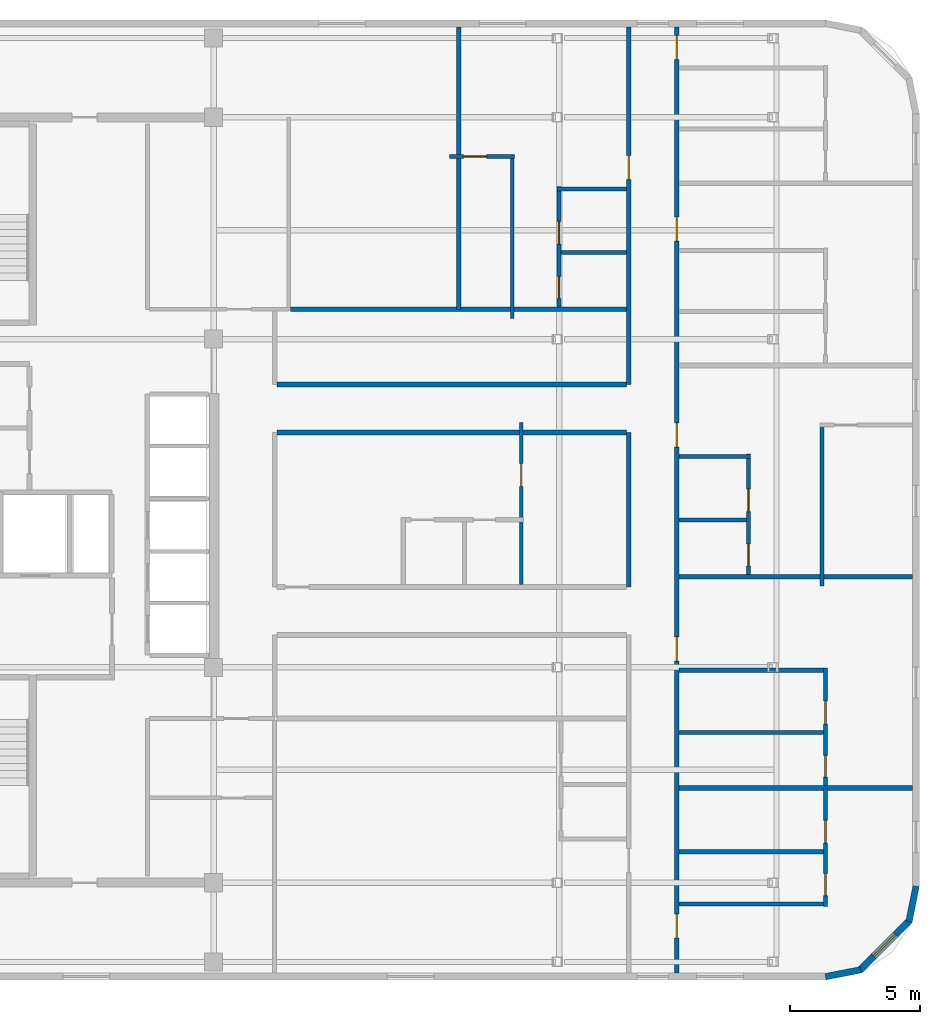
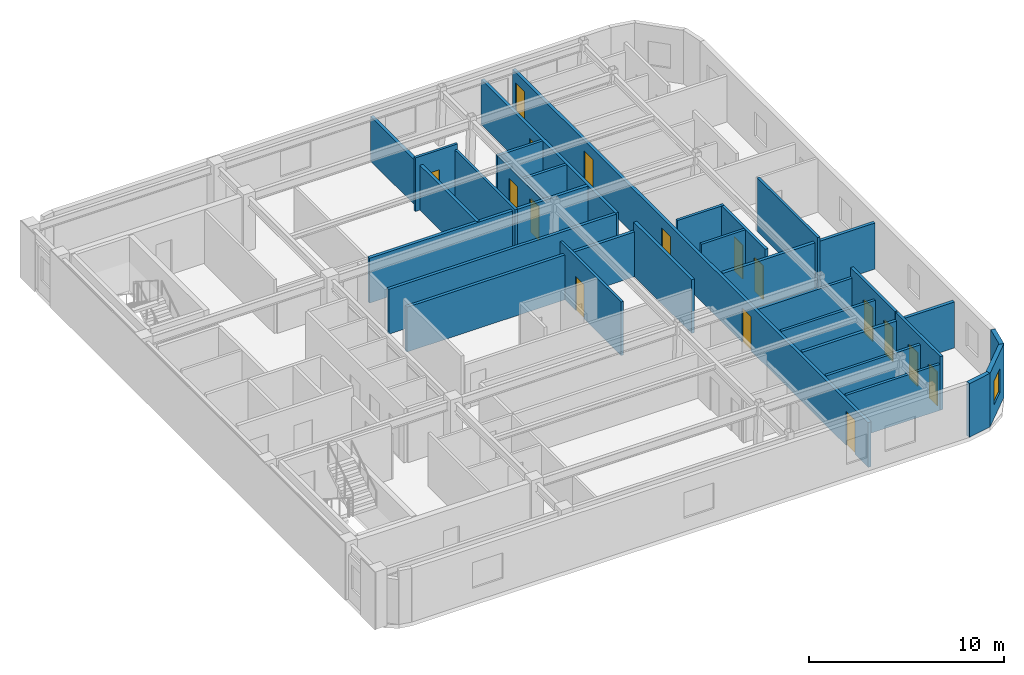
# One storey, part 4 of 7: 28 walls, 16 doors, 1 window, 17 openings.
"""IFC4 building model written with IfcOpenShell, lengths in metres."""

from ifc_helpers import new_model, si_unit, direction, frame, frame_2d, origin, place, context, subcontext, project, spatial, rectangle, extrude, material, layer, layer_set, type_object, element, fill, save


model = new_model("IFC4")

# Units and contexts
model_context = context("Model", 3, precision=1e-05, world=origin(), true_north=direction((0.0, 1.0)))
body_context = subcontext(model_context, "Body", "Model", "MODEL_VIEW")
ifc_project = project(units=[si_unit("LENGTHUNIT", "METRE"), si_unit("AREAUNIT", "SQUARE_METRE"), si_unit("VOLUMEUNIT", "CUBIC_METRE"), si_unit("PLANEANGLEUNIT", "RADIAN"), si_unit("MASSUNIT", "GRAM", prefix="KILO")], contexts=[model_context])

# Site, building, storey
site_placement = place(None, origin())
site = spatial("IfcSite", under=ifc_project, at=site_placement, CompositionType="ELEMENT")
building_placement = place(site_placement, origin())
building = spatial("IfcBuilding", under=site, at=building_placement, Name="Ochreholt Gables", CompositionType="ELEMENT")
storey_placement = place(building_placement, frame((0.0, 0.0, 242.39990234375)))
storey = spatial("IfcBuildingStorey", under=building, at=storey_placement, Name="L63", CompositionType="ELEMENT", Elevation=242.39990234375)

# Wall
ifc_material_1 = material(Name="Precast concrete 40 MPa", Category="concrete")
ifc_layer_1 = layer(ifc_material_1, 0.25, Name="Precast concrete 40 MPa")
ifc_layer_set_1 = layer_set([ifc_layer_1], Name="Precast concrete 40 MPa")
wall_type_1 = type_object("IfcWallType", Name="WALL-EXT-CNR", PredefinedType="SOLIDWALL", material=ifc_layer_set_1)
wall_1_placement = place(storey_placement, frame((58.783447265625, 5.624267578125, 0.0), z_axis=(0.0, 0.0, 1.0), x_axis=(0.980809899341, 0.19496651342, 0.0)))
element("IfcWall", 1, at=wall_1_placement, inside=storey, type_object=wall_type_1, Name="L63 Rounded Corner Wall SE-1", PredefinedType="SOLIDWALL", context=body_context, shape_type="SweptSolid", body=[
    extrude(rectangle(XDim=1.388671875, YDim=0.25, at=frame_2d((0.6943359375, 0.0))), origin(), (0.0, 0.0, 1.0), 3.360107421875),
])

# Wall, opening, window
wall_2_placement = place(storey_placement, frame((60.094970703125, 5.867919921875, 0.0), z_axis=(0.0, 0.0, 1.0), x_axis=(0.707106781187, 0.707106781187, 0.0)))
wall_2 = element("IfcWall", 2, at=wall_2_placement, inside=storey, type_object=wall_type_1, Name="L63 Rounded Corner Wall SE-2", PredefinedType="SOLIDWALL", context=body_context, shape_type="SweptSolid", body=[
    extrude(rectangle(XDim=2.7392578125, YDim=0.25, at=frame_2d((1.36962890625, 0.0))), origin(), (0.0, 0.0, 1.0), 3.360107421875),
])
opening_1_placement = place(wall_2_placement, frame((0.769775390625, 0.0, 0.85009765625)))
opening_1 = element("IfcOpeningElement", 3, at=opening_1_placement, cuts=wall_2, Name="Opening WN-3", PredefinedType="OPENING", context=body_context, shape_type="SweptSolid", body=[
    extrude(rectangle(XDim=1.199951171875, YDim=1.5, at=frame_2d((0.60009765625, 0.75))), frame((0.0, 0.135009765625, 0.0), z_axis=(0.0, -1.0, 0.0), x_axis=(1.0, 0.0, 0.0)), (0.0, 0.0, 1.0), 0.27001953125),
])
ifc_material_2 = material(Name="Triple-Glazed Thermally Broken Aluminium Window", Category="aluminium")
window_type = type_object("IfcWindowType", Name="WIN-RES-1200", PartitioningType="SINGLE_PANEL", PredefinedType="WINDOW", material=ifc_material_2)
window_placement = place(opening_1_placement, origin())
window = element("IfcWindow", 4, at=window_placement, inside=storey, type_object=window_type, Name="L63 Corner Bedroom Window SE", OverallHeight=1.5, OverallWidth=1.199951171875, PartitioningType="SINGLE_PANEL", PredefinedType="WINDOW", context=body_context, shape_type="SweptSolid", body=[
    extrude(rectangle(XDim=1.199951171875, YDim=1.5, at=frame_2d((0.60009765625, 0.75))), frame((0.0, 0.030029296875, 0.0), z_axis=(0.0, -1.0, 0.0), x_axis=(1.0, 0.0, 0.0)), (0.0, 0.0, 1.0), 0.06005859375),
])
fill(opening_1, window)

# Walls
wall_3_placement = place(storey_placement, frame((62.0048828125, 7.75439453125, 0.0), z_axis=(0.0, 0.0, 1.0), x_axis=(0.195135625965, 0.9807762678, 0.0)))
element("IfcWall", 5, at=wall_3_placement, inside=storey, type_object=wall_type_1, Name="L63 Rounded Corner Wall SE-3", PredefinedType="SOLIDWALL", context=body_context, shape_type="SweptSolid", body=[
    extrude(rectangle(XDim=1.388671875, YDim=0.25, at=frame_2d((0.6943359375, 0.0))), origin(), (0.0, 0.0, 1.0), 3.360107421875),
])
ifc_material_3 = material(Name="Fire-Rated Gypsum Acoustic Partition", Category="gypsum")
ifc_layer_2 = layer(ifc_material_3, 0.179931640625, Name="Fire-Rated Gypsum Acoustic Partition")
ifc_layer_set_2 = layer_set([ifc_layer_2], Name="Fire-Rated Gypsum Acoustic Partition")
wall_type_2 = type_object("IfcWallType", Name="WALL-INT-CR180", PredefinedType="STANDARD", material=ifc_layer_set_2)
wall_4_placement = place(storey_placement, frame((51.199951171875, 20.64990234375, 0.0), z_axis=(0.0, 0.0, 1.0), x_axis=(0.0, 1.0, 0.0)))
element("IfcWall", 6, at=wall_4_placement, inside=storey, type_object=wall_type_2, Name="L63 Interior Wall WI-C3GW2-L63", PredefinedType="STANDARD", context=body_context, shape_type="SweptSolid", body=[
    extrude(rectangle(XDim=5.9501953125, YDim=0.179931640625, at=frame_2d((2.97509765625, 0.0))), origin(), (0.0, 0.0, 1.0), 3.360107421875),
])

# Wall, opening, door
wall_5_placement = place(storey_placement, frame((51.199951171875, 28.449951171875, 0.0), z_axis=(0.0, 0.0, 1.0), x_axis=(0.0, 1.0, 0.0)))
wall_5 = element("IfcWall", 7, at=wall_5_placement, inside=storey, type_object=wall_type_2, Name="L63 Interior Wall WI-C3GW4-L63", PredefinedType="STANDARD", context=body_context, shape_type="SweptSolid", body=[
    extrude(rectangle(XDim=13.780029296875, YDim=0.179931640625, at=frame_2d((6.89013671875, 0.0))), origin(), (0.0, 0.0, 1.0), 2.802978515625),
])
opening_2_placement = place(wall_5_placement, frame((7.89990234375, 0.0, 0.0)))
opening_2 = element("IfcOpeningElement", 8, at=opening_2_placement, cuts=wall_5, Name="Opening D-UN1", PredefinedType="OPENING", context=body_context, shape_type="SweptSolid", body=[
    extrude(rectangle(XDim=0.919921875, YDim=2.14990234375, at=frame_2d((0.4599609375, 1.074951171875))), frame((0.0, 0.099853515625, 0.0), z_axis=(0.0, -1.0, 0.0), x_axis=(1.0, 0.0, 0.0)), (0.0, 0.0, 1.0), 0.199951171875),
])
ifc_material_4 = material(Name="Engineered Oak Timber", Category="wood")
door_type_1 = type_object("IfcDoorType", Name="DR-INT-UNT920", OperationType="NOTDEFINED", PredefinedType="DOOR", material=ifc_material_4)
door_1_placement = place(opening_2_placement, origin())
door_1 = element("IfcDoor", 9, at=door_1_placement, inside=storey, type_object=door_type_1, Name="L63 Door D-U-L63NM2-ENT", OperationType="SINGLE_SWING_RIGHT", OverallHeight=2.14990234375, OverallWidth=0.919921875, PredefinedType="DOOR", context=body_context, shape_type="SweptSolid", body=[
    extrude(rectangle(XDim=0.919921875, YDim=2.14990234375, at=frame_2d((0.4599609375, 1.074951171875))), frame((0.0, 0.02490234375, 0.0), z_axis=(0.0, -1.0, 0.0), x_axis=(1.0, 0.0, 0.0)), (0.0, 0.0, 1.0), 0.050048828125),
])
fill(opening_2, door_1)

# Walls
for number, where, z_axis, x_axis, name in (
    (10, (37.639892578125, 26.60009765625, 0.0), (0.0, 0.0, 1.0), (1.0, 0.0, 0.0), "L63 Interior Wall WI-C3BRS2-L63"),
    (11, (37.639892578125, 28.449951171875, 0.0), (0.0, 0.0, 1.0), (1.0, 0.0, 0.0), "L63 Interior Wall WI-C3BRN2-L63"),
):
    element("IfcWall", number, at=place(storey_placement, frame(where, z_axis=z_axis, x_axis=x_axis)), inside=storey, type_object=wall_type_2, Name=name, PredefinedType="STANDARD", context=body_context, shape_type="SweptSolid", body=[
        extrude(rectangle(XDim=13.47021484375, YDim=0.179931640625, at=frame_2d((6.735107421875, 0.0))), origin(), (0.0, 0.0, 1.0), 2.802978515625),
    ])

# Wall, openings, doors
wall_6_placement = place(storey_placement, frame((53.050048828125, 5.77001953125, 0.0), z_axis=(0.0, 0.0, 1.0), x_axis=(0.0, 1.0, 0.0)))
wall_6 = element("IfcWall", 12, at=wall_6_placement, inside=storey, type_object=wall_type_2, Name="L63 Interior Wall WI-C3GE-L63", PredefinedType="STANDARD", context=body_context, shape_type="SweptSolid", body=[
    extrude(rectangle(XDim=36.4599609375, YDim=0.179931640625, at=frame_2d((18.22998046875, 0.0))), origin(), (0.0, 0.0, 1.0), 2.802978515625),
])
opening_3_placement = place(wall_6_placement, frame((1.356689453125, 0.0, 0.0)))
opening_3 = element("IfcOpeningElement", 13, at=opening_3_placement, cuts=wall_6, Name="Opening D-UN1", PredefinedType="OPENING", context=body_context, shape_type="SweptSolid", body=[
    extrude(rectangle(XDim=0.919921875, YDim=2.14990234375, at=frame_2d((0.4599609375, 1.074951171875))), frame((0.0, 0.099853515625, 0.0), z_axis=(0.0, -1.0, 0.0), x_axis=(1.0, 0.0, 0.0)), (0.0, 0.0, 1.0), 0.199951171875),
])
opening_4_placement = place(wall_6_placement, frame((12.030029296875, 0.0, 0.0)))
opening_4 = element("IfcOpeningElement", 14, at=opening_4_placement, cuts=wall_6, Name="Opening D-UN1", PredefinedType="OPENING", context=body_context, shape_type="SweptSolid", body=[
    extrude(rectangle(XDim=0.919921875, YDim=2.14990234375, at=frame_2d((0.4599609375, 1.074951171875))), frame((0.0, 0.099853515625, 0.0), z_axis=(0.0, -1.0, 0.0), x_axis=(1.0, 0.0, 0.0)), (0.0, 0.0, 1.0), 0.199951171875),
])
opening_5_placement = place(wall_6_placement, frame((20.27001953125, 0.0, 0.0)))
opening_5 = element("IfcOpeningElement", 15, at=opening_5_placement, cuts=wall_6, Name="Opening D-UN1", PredefinedType="OPENING", context=body_context, shape_type="SweptSolid", body=[
    extrude(rectangle(XDim=0.919921875, YDim=2.14990234375, at=frame_2d((0.4599609375, 1.074951171875))), frame((0.0, 0.099853515625, 0.0), z_axis=(0.0, -1.0, 0.0), x_axis=(1.0, 0.0, 0.0)), (0.0, 0.0, 1.0), 0.199951171875),
])
opening_6_placement = place(wall_6_placement, frame((28.2099609375, 0.0, 0.0)))
opening_6 = element("IfcOpeningElement", 16, at=opening_6_placement, cuts=wall_6, Name="Opening D-UN1", PredefinedType="OPENING", context=body_context, shape_type="SweptSolid", body=[
    extrude(rectangle(XDim=0.919921875, YDim=2.14990234375, at=frame_2d((0.4599609375, 1.074951171875))), frame((0.0, 0.099853515625, 0.0), z_axis=(0.0, -1.0, 0.0), x_axis=(1.0, 0.0, 0.0)), (0.0, 0.0, 1.0), 0.199951171875),
])
opening_7_placement = place(wall_6_placement, frame((35.2099609375, 0.0, 0.0)))
opening_7 = element("IfcOpeningElement", 17, at=opening_7_placement, cuts=wall_6, Name="Opening D-UN1", PredefinedType="OPENING", context=body_context, shape_type="SweptSolid", body=[
    extrude(rectangle(XDim=0.919921875, YDim=2.14990234375, at=frame_2d((0.4599609375, 1.074951171875))), frame((0.0, 0.099853515625, 0.0), z_axis=(0.0, -1.0, 0.0), x_axis=(1.0, 0.0, 0.0)), (0.0, 0.0, 1.0), 0.199951171875),
])
door_2_placement = place(opening_3_placement, origin())
door_2 = element("IfcDoor", 18, at=door_2_placement, inside=storey, type_object=door_type_1, Name="L63 Door D-U-L63E1-ENT", OperationType="SINGLE_SWING_RIGHT", OverallHeight=2.14990234375, OverallWidth=0.919921875, PredefinedType="DOOR", context=body_context, shape_type="SweptSolid", body=[
    extrude(rectangle(XDim=0.919921875, YDim=2.14990234375, at=frame_2d((0.4599609375, 1.074951171875))), frame((0.0, 0.02490234375, 0.0), z_axis=(0.0, -1.0, 0.0), x_axis=(1.0, 0.0, 0.0)), (0.0, 0.0, 1.0), 0.050048828125),
])
fill(opening_3, door_2)
door_3_placement = place(opening_4_placement, origin())
door_3 = element("IfcDoor", 19, at=door_3_placement, inside=storey, type_object=door_type_1, Name="L63 Door D-U-L63E2-ENT", OperationType="SINGLE_SWING_LEFT", OverallHeight=2.14990234375, OverallWidth=0.919921875, PredefinedType="DOOR", context=body_context, shape_type="SweptSolid", body=[
    extrude(rectangle(XDim=0.919921875, YDim=2.14990234375, at=frame_2d((0.4599609375, 1.074951171875))), frame((0.0, 0.02490234375, 0.0), z_axis=(0.0, -1.0, 0.0), x_axis=(1.0, 0.0, 0.0)), (0.0, 0.0, 1.0), 0.050048828125),
])
fill(opening_4, door_3)
door_4_placement = place(opening_5_placement, origin())
door_4 = element("IfcDoor", 20, at=door_4_placement, inside=storey, type_object=door_type_1, Name="L63 Door D-U-L63E3-ENT", OperationType="SINGLE_SWING_RIGHT", OverallHeight=2.14990234375, OverallWidth=0.919921875, PredefinedType="DOOR", context=body_context, shape_type="SweptSolid", body=[
    extrude(rectangle(XDim=0.919921875, YDim=2.14990234375, at=frame_2d((0.4599609375, 1.074951171875))), frame((0.0, 0.02490234375, 0.0), z_axis=(0.0, -1.0, 0.0), x_axis=(1.0, 0.0, 0.0)), (0.0, 0.0, 1.0), 0.050048828125),
])
fill(opening_5, door_4)
door_5_placement = place(opening_6_placement, origin())
door_5 = element("IfcDoor", 21, at=door_5_placement, inside=storey, type_object=door_type_1, Name="L63 Door D-U-L63E4-ENT", OperationType="SINGLE_SWING_LEFT", OverallHeight=2.14990234375, OverallWidth=0.919921875, PredefinedType="DOOR", context=body_context, shape_type="SweptSolid", body=[
    extrude(rectangle(XDim=0.919921875, YDim=2.14990234375, at=frame_2d((0.4599609375, 1.074951171875))), frame((0.0, 0.02490234375, 0.0), z_axis=(0.0, -1.0, 0.0), x_axis=(1.0, 0.0, 0.0)), (0.0, 0.0, 1.0), 0.050048828125),
])
fill(opening_6, door_5)
door_6_placement = place(opening_7_placement, origin())
door_6 = element("IfcDoor", 22, at=door_6_placement, inside=storey, type_object=door_type_1, Name="L63 Door D-U-L63E5-ENT", OperationType="SINGLE_SWING_RIGHT", OverallHeight=2.14990234375, OverallWidth=0.919921875, PredefinedType="DOOR", context=body_context, shape_type="SweptSolid", body=[
    extrude(rectangle(XDim=0.919921875, YDim=2.14990234375, at=frame_2d((0.4599609375, 1.074951171875))), frame((0.0, 0.02490234375, 0.0), z_axis=(0.0, -1.0, 0.0), x_axis=(1.0, 0.0, 0.0)), (0.0, 0.0, 1.0), 0.050048828125),
])
fill(opening_7, door_6)

# Walls
ifc_material_5 = material(Name="Double-Stud Acoustic Demising Wall", Category="gypsum")
ifc_layer_3 = layer(ifc_material_5, 0.18505859375, Name="Double-Stud Acoustic Demising Wall")
ifc_layer_set_3 = layer_set([ifc_layer_3], Name="Double-Stud Acoustic Demising Wall")
wall_type_3 = type_object("IfcWallType", Name="WALL-INT-DM185", PredefinedType="PARTITIONING", material=ifc_layer_set_3)
for number, where, z_axis, x_axis, name in (
    (23, (53.139892578125, 12.89990234375, 0.0), (0.0, 0.0, 1.0), (1.0, 0.0, 0.0), "L63 Interior Wall WI-C3UDE2-L63"),
    (24, (53.139892578125, 21.0400390625, 0.0), (0.0, 0.0, 1.0), (1.0, 0.0, 0.0), "L63 Interior Wall WI-C3UDE3-L63"),
):
    element("IfcWall", number, at=place(storey_placement, frame(where, z_axis=z_axis, x_axis=x_axis)), inside=storey, type_object=wall_type_3, Name=name, PredefinedType="PARTITIONING", context=body_context, shape_type="SweptSolid", body=[
        extrude(rectangle(XDim=8.989990234375, YDim=0.18505859375, at=frame_2d((4.4951171875, 0.0))), origin(), (0.0, 0.0, 1.0), 2.879150390625),
    ])
wall_7_placement = place(storey_placement, frame((44.64990234375, 31.35009765625, 0.0), z_axis=(0.0, 0.0, 1.0), x_axis=(0.0, 1.0, 0.0)))
element("IfcWall", 25, at=wall_7_placement, inside=storey, type_object=wall_type_3, Name="L63 Interior Wall WI-C3NMX-L63", PredefinedType="PARTITIONING", context=body_context, shape_type="SweptSolid", body=[
    extrude(rectangle(XDim=10.8798828125, YDim=0.18505859375, at=frame_2d((5.43994140625, 0.0))), origin(), (0.0, 0.0, 1.0), 2.802978515625),
])
wall_8_placement = place(storey_placement, frame((38.172607421875, 31.35009765625, 0.0), z_axis=(0.0, 0.0, 1.0), x_axis=(1.0, 0.0, 0.0)))
element("IfcWall", 26, at=wall_8_placement, inside=storey, type_object=wall_type_3, Name="L63 Interior Wall WI-C3NMY-L63", PredefinedType="PARTITIONING", context=body_context, shape_type="SweptSolid", body=[
    extrude(rectangle(XDim=12.9375, YDim=0.18505859375, at=frame_2d((6.46875, 0.0))), origin(), (0.0, 0.0, 1.0), 2.802978515625),
])
ifc_material_6 = material(Name="Moisture-Resistant Plumbing Chase Wall", Category="gypsum")
ifc_layer_4 = layer(ifc_material_6, 0.159912109375, Name="Moisture-Resistant Plumbing Chase Wall")
ifc_layer_set_4 = layer_set([ifc_layer_4], Name="Moisture-Resistant Plumbing Chase Wall")
wall_type_4 = type_object("IfcWallType", Name="WALL-INT-PL160", PredefinedType="PLUMBINGWALL", material=ifc_layer_set_4)
wall_9_placement = place(storey_placement, frame((53.139892578125, 8.426513671875, 0.0), z_axis=(0.0, 0.0, 1.0), x_axis=(1.0, 0.0, 0.0)))
element("IfcWall", 27, at=wall_9_placement, inside=storey, type_object=wall_type_4, Name="L63 Interior Wall WU-L63E1-WYS", PredefinedType="PLUMBINGWALL", context=body_context, shape_type="SweptSolid", body=[
    extrude(rectangle(XDim=5.728271484375, YDim=0.159912109375, at=frame_2d((2.8642578125, 0.0))), origin(), (0.0, 0.0, 1.0), 2.879150390625),
])

# Wall, openings, doors
wall_10_placement = place(storey_placement, frame((58.7880859375, 8.336669921875, 0.0), z_axis=(0.0, 0.0, 1.0), x_axis=(0.0, 1.0, 0.0)))
wall_10 = element("IfcWall", 28, at=wall_10_placement, inside=storey, type_object=wall_type_4, Name="L63 Interior Wall WU-L63E1-WX", PredefinedType="PLUMBINGWALL", context=body_context, shape_type="SweptSolid", body=[
    extrude(rectangle(XDim=4.563232421875, YDim=0.159912109375, at=frame_2d((2.28173828125, 0.0))), origin(), (0.0, 0.0, 1.0), 3.360107421875),
])
opening_8_placement = place(wall_10_placement, frame((0.419921875, 0.0, 0.0)))
opening_8 = element("IfcOpeningElement", 29, at=opening_8_placement, cuts=wall_10, Name="Opening D-BT2", PredefinedType="OPENING", context=body_context, shape_type="SweptSolid", body=[
    extrude(rectangle(XDim=0.840087890625, YDim=2.1201171875, at=frame_2d((0.419921875, 1.06005859375))), frame((0.0, 0.08984375, 0.0), z_axis=(0.0, -1.0, 0.0), x_axis=(1.0, 0.0, 0.0)), (0.0, 0.0, 1.0), 0.179931640625),
])
opening_9_placement = place(wall_10_placement, frame((2.436279296875, 0.0, 0.0)))
opening_9 = element("IfcOpeningElement", 30, at=opening_9_placement, cuts=wall_10, Name="Opening D-GN2", PredefinedType="OPENING", context=body_context, shape_type="SweptSolid", body=[
    extrude(rectangle(XDim=0.8798828125, YDim=2.1201171875, at=frame_2d((0.43994140625, 1.06005859375))), frame((0.0, 0.08984375, 0.0), z_axis=(0.0, -1.0, 0.0), x_axis=(1.0, 0.0, 0.0)), (0.0, 0.0, 1.0), 0.179931640625),
])
door_type_2 = type_object("IfcDoorType", Name="DR-INT-BTH840", OperationType="NOTDEFINED", PredefinedType="DOOR", material=ifc_material_4)
door_7_placement = place(opening_8_placement, origin())
door_7 = element("IfcDoor", 31, at=door_7_placement, inside=storey, type_object=door_type_2, Name="L63 Door D-U-L63E1-BTH", OperationType="SINGLE_SWING_LEFT", OverallHeight=2.1201171875, OverallWidth=0.840087890625, PredefinedType="DOOR", context=body_context, shape_type="SweptSolid", body=[
    extrude(rectangle(XDim=0.840087890625, YDim=2.1201171875, at=frame_2d((0.419921875, 1.06005859375))), frame((0.0, 0.02490234375, 0.0), z_axis=(0.0, -1.0, 0.0), x_axis=(1.0, 0.0, 0.0)), (0.0, 0.0, 1.0), 0.050048828125),
])
fill(opening_8, door_7)
door_type_3 = type_object("IfcDoorType", Name="DR-INT-GEN880", OperationType="NOTDEFINED", PredefinedType="DOOR", material=ifc_material_4)
door_8_placement = place(opening_9_placement, origin())
door_8 = element("IfcDoor", 32, at=door_8_placement, inside=storey, type_object=door_type_3, Name="L63 Door D-U-L63E1-KIT", OperationType="SINGLE_SWING_RIGHT", OverallHeight=2.1201171875, OverallWidth=0.8798828125, PredefinedType="DOOR", context=body_context, shape_type="SweptSolid", body=[
    extrude(rectangle(XDim=0.8798828125, YDim=2.1201171875, at=frame_2d((0.43994140625, 1.06005859375))), frame((0.0, 0.02490234375, 0.0), z_axis=(0.0, -1.0, 0.0), x_axis=(1.0, 0.0, 0.0)), (0.0, 0.0, 1.0), 0.050048828125),
])
fill(opening_9, door_8)

# Walls
wall_11_placement = place(storey_placement, frame((53.139892578125, 10.443115234375, 0.0), z_axis=(0.0, 0.0, 1.0), x_axis=(1.0, 0.0, 0.0)))
element("IfcWall", 33, at=wall_11_placement, inside=storey, type_object=wall_type_4, Name="L63 Interior Wall WU-L63E1-WM", PredefinedType="PLUMBINGWALL", context=body_context, shape_type="SweptSolid", body=[
    extrude(rectangle(XDim=5.568359375, YDim=0.159912109375, at=frame_2d((2.7841796875, 0.0))), origin(), (0.0, 0.0, 1.0), 2.879150390625),
])
wall_12_placement = place(storey_placement, frame((53.139892578125, 17.43994140625, 0.0), z_axis=(0.0, 0.0, 1.0), x_axis=(1.0, 0.0, 0.0)))
element("IfcWall", 34, at=wall_12_placement, inside=storey, type_object=wall_type_4, Name="L63 Interior Wall WU-L63E2-WYN", PredefinedType="PLUMBINGWALL", context=body_context, shape_type="SweptSolid", body=[
    extrude(rectangle(XDim=5.728271484375, YDim=0.159912109375, at=frame_2d((2.8642578125, 0.0))), origin(), (0.0, 0.0, 1.0), 2.802978515625),
])

# Wall, openings, doors
wall_13_placement = place(storey_placement, frame((58.7880859375, 12.992431640625, 0.0), z_axis=(0.0, 0.0, 1.0), x_axis=(0.0, 1.0, 0.0)))
wall_13 = element("IfcWall", 35, at=wall_13_placement, inside=storey, type_object=wall_type_4, Name="L63 Interior Wall WU-L63E2-WX", PredefinedType="PLUMBINGWALL", context=body_context, shape_type="SweptSolid", body=[
    extrude(rectangle(XDim=4.53759765625, YDim=0.159912109375, at=frame_2d((2.268798828125, 0.0))), origin(), (0.0, 0.0, 1.0), 3.360107421875),
])
opening_10_placement = place(wall_13_placement, frame((0.327392578125, 0.0, 0.0)))
opening_10 = element("IfcOpeningElement", 36, at=opening_10_placement, cuts=wall_13, Name="Opening D-BT2", PredefinedType="OPENING", context=body_context, shape_type="SweptSolid", body=[
    extrude(rectangle(XDim=0.840087890625, YDim=2.1201171875, at=frame_2d((0.419921875, 1.06005859375))), frame((0.0, 0.08984375, 0.0), z_axis=(0.0, -1.0, 0.0), x_axis=(1.0, 0.0, 0.0)), (0.0, 0.0, 1.0), 0.179931640625),
])
opening_11_placement = place(wall_13_placement, frame((2.37451171875, 0.0, 0.0)))
opening_11 = element("IfcOpeningElement", 37, at=opening_11_placement, cuts=wall_13, Name="Opening D-GN2", PredefinedType="OPENING", context=body_context, shape_type="SweptSolid", body=[
    extrude(rectangle(XDim=0.8798828125, YDim=2.1201171875, at=frame_2d((0.43994140625, 1.06005859375))), frame((0.0, 0.08984375, 0.0), z_axis=(0.0, -1.0, 0.0), x_axis=(1.0, 0.0, 0.0)), (0.0, 0.0, 1.0), 0.179931640625),
])
door_9_placement = place(opening_10_placement, origin())
door_9 = element("IfcDoor", 38, at=door_9_placement, inside=storey, type_object=door_type_2, Name="L63 Door D-U-L63E2-BTH", OperationType="SINGLE_SWING_RIGHT", OverallHeight=2.1201171875, OverallWidth=0.840087890625, PredefinedType="DOOR", context=body_context, shape_type="SweptSolid", body=[
    extrude(rectangle(XDim=0.840087890625, YDim=2.1201171875, at=frame_2d((0.419921875, 1.06005859375))), frame((0.0, 0.02490234375, 0.0), z_axis=(0.0, -1.0, 0.0), x_axis=(1.0, 0.0, 0.0)), (0.0, 0.0, 1.0), 0.050048828125),
])
fill(opening_10, door_9)
door_10_placement = place(opening_11_placement, origin())
door_10 = element("IfcDoor", 39, at=door_10_placement, inside=storey, type_object=door_type_3, Name="L63 Door D-U-L63E2-KIT", OperationType="SINGLE_SWING_LEFT", OverallHeight=2.1201171875, OverallWidth=0.8798828125, PredefinedType="DOOR", context=body_context, shape_type="SweptSolid", body=[
    extrude(rectangle(XDim=0.8798828125, YDim=2.1201171875, at=frame_2d((0.43994140625, 1.06005859375))), frame((0.0, 0.02490234375, 0.0), z_axis=(0.0, -1.0, 0.0), x_axis=(1.0, 0.0, 0.0)), (0.0, 0.0, 1.0), 0.050048828125),
])
fill(opening_11, door_10)

# Walls
wall_14_placement = place(storey_placement, frame((53.139892578125, 15.037109375, 0.0), z_axis=(0.0, 0.0, 1.0), x_axis=(1.0, 0.0, 0.0)))
element("IfcWall", 40, at=wall_14_placement, inside=storey, type_object=wall_type_4, Name="L63 Interior Wall WU-L63E2-WM", PredefinedType="PLUMBINGWALL", context=body_context, shape_type="SweptSolid", body=[
    extrude(rectangle(XDim=5.568359375, YDim=0.159912109375, at=frame_2d((2.7841796875, 0.0))), origin(), (0.0, 0.0, 1.0), 2.879150390625),
])
wall_15_placement = place(storey_placement, frame((53.139892578125, 25.679931640625, 0.0), z_axis=(0.0, 0.0, 1.0), x_axis=(1.0, 0.0, 0.0)))
element("IfcWall", 41, at=wall_15_placement, inside=storey, type_object=wall_type_4, Name="L63 Interior Wall WU-L63E3-WYN", PredefinedType="PLUMBINGWALL", context=body_context, shape_type="SweptSolid", body=[
    extrude(rectangle(XDim=2.758056640625, YDim=0.159912109375, at=frame_2d((1.37890625, 0.0))), origin(), (0.0, 0.0, 1.0), 3.360107421875),
])

# Wall, openings, doors
wall_16_placement = place(storey_placement, frame((55.818115234375, 21.132568359375, 0.0), z_axis=(0.0, 0.0, 1.0), x_axis=(0.0, 1.0, 0.0)))
wall_16 = element("IfcWall", 42, at=wall_16_placement, inside=storey, type_object=wall_type_4, Name="L63 Interior Wall WU-L63E3-WX", PredefinedType="PLUMBINGWALL", context=body_context, shape_type="SweptSolid", body=[
    extrude(rectangle(XDim=4.637451171875, YDim=0.159912109375, at=frame_2d((2.31884765625, 0.0))), origin(), (0.0, 0.0, 1.0), 3.360107421875),
])
opening_12_placement = place(wall_16_placement, frame((0.327392578125, 0.0, 0.0)))
opening_12 = element("IfcOpeningElement", 43, at=opening_12_placement, cuts=wall_16, Name="Opening D-BT2", PredefinedType="OPENING", context=body_context, shape_type="SweptSolid", body=[
    extrude(rectangle(XDim=0.840087890625, YDim=2.1201171875, at=frame_2d((0.419921875, 1.06005859375))), frame((0.0, 0.08984375, 0.0), z_axis=(0.0, -1.0, 0.0), x_axis=(1.0, 0.0, 0.0)), (0.0, 0.0, 1.0), 0.179931640625),
])
opening_13_placement = place(wall_16_placement, frame((2.42041015625, 0.0, 0.0)))
opening_13 = element("IfcOpeningElement", 44, at=opening_13_placement, cuts=wall_16, Name="Opening D-GN2", PredefinedType="OPENING", context=body_context, shape_type="SweptSolid", body=[
    extrude(rectangle(XDim=0.8798828125, YDim=2.1201171875, at=frame_2d((0.43994140625, 1.06005859375))), frame((0.0, 0.08984375, 0.0), z_axis=(0.0, -1.0, 0.0), x_axis=(1.0, 0.0, 0.0)), (0.0, 0.0, 1.0), 0.179931640625),
])
door_11_placement = place(opening_12_placement, origin())
door_11 = element("IfcDoor", 45, at=door_11_placement, inside=storey, type_object=door_type_2, Name="L63 Door D-U-L63E3-BTH", OperationType="SINGLE_SWING_LEFT", OverallHeight=2.1201171875, OverallWidth=0.840087890625, PredefinedType="DOOR", context=body_context, shape_type="SweptSolid", body=[
    extrude(rectangle(XDim=0.840087890625, YDim=2.1201171875, at=frame_2d((0.419921875, 1.06005859375))), frame((0.0, 0.02490234375, 0.0), z_axis=(0.0, -1.0, 0.0), x_axis=(1.0, 0.0, 0.0)), (0.0, 0.0, 1.0), 0.050048828125),
])
fill(opening_12, door_11)
door_12_placement = place(opening_13_placement, origin())
door_12 = element("IfcDoor", 46, at=door_12_placement, inside=storey, type_object=door_type_3, Name="L63 Door D-U-L63E3-KIT", OperationType="SINGLE_SWING_RIGHT", OverallHeight=2.1201171875, OverallWidth=0.8798828125, PredefinedType="DOOR", context=body_context, shape_type="SweptSolid", body=[
    extrude(rectangle(XDim=0.8798828125, YDim=2.1201171875, at=frame_2d((0.43994140625, 1.06005859375))), frame((0.0, 0.02490234375, 0.0), z_axis=(0.0, -1.0, 0.0), x_axis=(1.0, 0.0, 0.0)), (0.0, 0.0, 1.0), 0.050048828125),
])
fill(opening_13, door_12)

# Walls
wall_17_placement = place(storey_placement, frame((53.139892578125, 23.222900390625, 0.0), z_axis=(0.0, 0.0, 1.0), x_axis=(1.0, 0.0, 0.0)))
element("IfcWall", 47, at=wall_17_placement, inside=storey, type_object=wall_type_4, Name="L63 Interior Wall WU-L63E3-WM", PredefinedType="PLUMBINGWALL", context=body_context, shape_type="SweptSolid", body=[
    extrude(rectangle(XDim=2.59814453125, YDim=0.159912109375, at=frame_2d((1.299072265625, 0.0))), origin(), (0.0, 0.0, 1.0), 3.360107421875),
])
wall_18_placement = place(storey_placement, frame((48.427978515625, 35.989990234375, 0.0), z_axis=(0.0, 0.0, 1.0), x_axis=(1.0, 0.0, 0.0)))
element("IfcWall", 48, at=wall_18_placement, inside=storey, type_object=wall_type_4, Name="L63 Interior Wall WU-L63NM2-WYN", PredefinedType="PLUMBINGWALL", context=body_context, shape_type="SweptSolid", body=[
    extrude(rectangle(XDim=2.68212890625, YDim=0.159912109375, at=frame_2d((1.341064453125, 0.0))), origin(), (0.0, 0.0, 1.0), 2.802978515625),
])

# Wall, openings, doors
wall_19_placement = place(storey_placement, frame((48.508056640625, 31.4423828125, 0.0), z_axis=(0.0, 0.0, 1.0), x_axis=(0.0, 1.0, 0.0)))
wall_19 = element("IfcWall", 49, at=wall_19_placement, inside=storey, type_object=wall_type_4, Name="L63 Interior Wall WU-L63NM2-WX", PredefinedType="PLUMBINGWALL", context=body_context, shape_type="SweptSolid", body=[
    extrude(rectangle(XDim=4.6376953125, YDim=0.159912109375, at=frame_2d((2.31884765625, 0.0))), origin(), (0.0, 0.0, 1.0), 2.802978515625),
])
opening_14_placement = place(wall_19_placement, frame((0.327392578125, 0.0, 0.0)))
opening_14 = element("IfcOpeningElement", 50, at=opening_14_placement, cuts=wall_19, Name="Opening D-BT2", PredefinedType="OPENING", context=body_context, shape_type="SweptSolid", body=[
    extrude(rectangle(XDim=0.840087890625, YDim=2.1201171875, at=frame_2d((0.419921875, 1.06005859375))), frame((0.0, 0.08984375, 0.0), z_axis=(0.0, -1.0, 0.0), x_axis=(1.0, 0.0, 0.0)), (0.0, 0.0, 1.0), 0.179931640625),
])
opening_15_placement = place(wall_19_placement, frame((2.42041015625, 0.0, 0.0)))
opening_15 = element("IfcOpeningElement", 51, at=opening_15_placement, cuts=wall_19, Name="Opening D-GN2", PredefinedType="OPENING", context=body_context, shape_type="SweptSolid", body=[
    extrude(rectangle(XDim=0.8798828125, YDim=2.1201171875, at=frame_2d((0.43994140625, 1.06005859375))), frame((0.0, 0.08984375, 0.0), z_axis=(0.0, -1.0, 0.0), x_axis=(1.0, 0.0, 0.0)), (0.0, 0.0, 1.0), 0.179931640625),
])
door_13_placement = place(opening_14_placement, origin())
door_13 = element("IfcDoor", 52, at=door_13_placement, inside=storey, type_object=door_type_2, Name="L63 Door D-U-L63NM2-BTH", OperationType="SINGLE_SWING_LEFT", OverallHeight=2.1201171875, OverallWidth=0.840087890625, PredefinedType="DOOR", context=body_context, shape_type="SweptSolid", body=[
    extrude(rectangle(XDim=0.840087890625, YDim=2.1201171875, at=frame_2d((0.419921875, 1.06005859375))), frame((0.0, 0.02490234375, 0.0), z_axis=(0.0, -1.0, 0.0), x_axis=(1.0, 0.0, 0.0)), (0.0, 0.0, 1.0), 0.050048828125),
])
fill(opening_14, door_13)
door_14_placement = place(opening_15_placement, origin())
door_14 = element("IfcDoor", 53, at=door_14_placement, inside=storey, type_object=door_type_3, Name="L63 Door D-U-L63NM2-KIT", OperationType="SINGLE_SWING_RIGHT", OverallHeight=2.1201171875, OverallWidth=0.8798828125, PredefinedType="DOOR", context=body_context, shape_type="SweptSolid", body=[
    extrude(rectangle(XDim=0.8798828125, YDim=2.1201171875, at=frame_2d((0.43994140625, 1.06005859375))), frame((0.0, 0.02490234375, 0.0), z_axis=(0.0, -1.0, 0.0), x_axis=(1.0, 0.0, 0.0)), (0.0, 0.0, 1.0), 0.050048828125),
])
fill(opening_15, door_14)

# Walls
wall_20_placement = place(storey_placement, frame((48.587890625, 33.532958984375, 0.0), z_axis=(0.0, 0.0, 1.0), x_axis=(1.0, 0.0, 0.0)))
element("IfcWall", 54, at=wall_20_placement, inside=storey, type_object=wall_type_4, Name="L63 Interior Wall WU-L63NM2-WM", PredefinedType="PLUMBINGWALL", context=body_context, shape_type="SweptSolid", body=[
    extrude(rectangle(XDim=2.522216796875, YDim=0.159912109375, at=frame_2d((1.26123046875, 0.0))), origin(), (0.0, 0.0, 1.0), 2.802978515625),
])
ifc_material_7 = material(Name="Lightweight Stud Partition", Category="gypsum")
ifc_layer_5 = layer(ifc_material_7, 0.14501953125, Name="Lightweight Stud Partition")
ifc_layer_set_5 = layer_set([ifc_layer_5], Name="Lightweight Stud Partition")
wall_type_5 = type_object("IfcWallType", Name="WALL-INT-PT145", PredefinedType="PARTITIONING", material=ifc_layer_set_5)
wall_21_placement = place(storey_placement, frame((58.64990234375, 20.679931640625, 0.0), z_axis=(0.0, 0.0, 1.0), x_axis=(0.0, 1.0, 0.0)))
element("IfcWall", 55, at=wall_21_placement, inside=storey, type_object=wall_type_5, Name="L63 Interior Wall WU-L63E3-STW", PredefinedType="PARTITIONING", context=body_context, shape_type="SweptSolid", body=[
    extrude(rectangle(XDim=6.2099609375, YDim=0.14501953125, at=frame_2d((3.10498046875, 0.0))), origin(), (0.0, 0.0, 1.0), 3.360107421875),
])

# Wall, opening, door
wall_22_placement = place(storey_placement, frame((47.06005859375, 20.739990234375, 0.0), z_axis=(0.0, 0.0, 1.0), x_axis=(0.0, 1.0, 0.0)))
wall_22 = element("IfcWall", 56, at=wall_22_placement, inside=storey, type_object=wall_type_5, Name="L63 Interior Wall WU-L63MC1-MNX", PredefinedType="PARTITIONING", context=body_context, shape_type="SweptSolid", body=[
    extrude(rectangle(XDim=6.25, YDim=0.14501953125, at=frame_2d((3.125, 0.0))), origin(), (0.0, 0.0, 1.0), 3.360107421875),
])
opening_16_placement = place(wall_22_placement, frame((3.78369140625, 0.0, 0.0)))
opening_16 = element("IfcOpeningElement", 57, at=opening_16_placement, cuts=wall_22, Name="Opening D-BD2", PredefinedType="OPENING", context=body_context, shape_type="SweptSolid", body=[
    extrude(rectangle(XDim=0.8798828125, YDim=2.139892578125, at=frame_2d((0.43994140625, 1.06982421875))), frame((0.0, 0.08251953125, 0.0), z_axis=(0.0, -1.0, 0.0), x_axis=(1.0, 0.0, 0.0)), (0.0, 0.0, 1.0), 0.1650390625),
])
door_type_4 = type_object("IfcDoorType", Name="DR-INT-BED880", OperationType="NOTDEFINED", PredefinedType="DOOR", material=ifc_material_4)
door_15_placement = place(opening_16_placement, origin())
door_15 = element("IfcDoor", 58, at=door_15_placement, inside=storey, type_object=door_type_4, Name="L63 Door D-U-L63MC1-BD1", OperationType="SINGLE_SWING_RIGHT", OverallHeight=2.139892578125, OverallWidth=0.8798828125, PredefinedType="DOOR", context=body_context, shape_type="SweptSolid", body=[
    extrude(rectangle(XDim=0.8798828125, YDim=2.139892578125, at=frame_2d((0.43994140625, 1.06982421875))), frame((0.0, 0.02490234375, 0.0), z_axis=(0.0, -1.0, 0.0), x_axis=(1.0, 0.0, 0.0)), (0.0, 0.0, 1.0), 0.050048828125),
])
fill(opening_16, door_15)

# Wall
wall_23_placement = place(storey_placement, frame((46.7080078125, 30.989990234375, 0.0), z_axis=(0.0, 0.0, 1.0), x_axis=(0.0, 1.0, 0.0)))
element("IfcWall", 59, at=wall_23_placement, inside=storey, type_object=wall_type_5, Name="L63 Interior Wall WU-L63NM2-STW", PredefinedType="PARTITIONING", context=body_context, shape_type="SweptSolid", body=[
    extrude(rectangle(XDim=6.25, YDim=0.14501953125, at=frame_2d((3.125, 0.0))), origin(), (0.0, 0.0, 1.0), 3.0390625),
])

# Wall, opening, door
wall_24_placement = place(storey_placement, frame((44.2900390625, 37.239990234375, 0.0), z_axis=(0.0, 0.0, 1.0), x_axis=(1.0, 0.0, 0.0)))
wall_24 = element("IfcWall", 60, at=wall_24_placement, inside=storey, type_object=wall_type_5, Name="L63 Interior Wall WU-L63NM2-STN", PredefinedType="PARTITIONING", context=body_context, shape_type="SweptSolid", body=[
    extrude(rectangle(XDim=2.498046875, YDim=0.14501953125, at=frame_2d((1.2490234375, 0.0))), origin(), (0.0, 0.0, 1.0), 3.360107421875),
])
opening_17_placement = place(wall_24_placement, frame((0.550048828125, 0.0, 0.0)))
opening_17 = element("IfcOpeningElement", 61, at=opening_17_placement, cuts=wall_24, Name="Opening D-GN2", PredefinedType="OPENING", context=body_context, shape_type="SweptSolid", body=[
    extrude(rectangle(XDim=0.8798828125, YDim=2.1201171875, at=frame_2d((0.43994140625, 1.06005859375))), frame((0.0, 0.08251953125, 0.0), z_axis=(0.0, -1.0, 0.0), x_axis=(1.0, 0.0, 0.0)), (0.0, 0.0, 1.0), 0.1650390625),
])
door_16_placement = place(opening_17_placement, origin())
door_16 = element("IfcDoor", 62, at=door_16_placement, inside=storey, type_object=door_type_3, Name="L63 Door D-U-L63NM2-STD", OperationType="SINGLE_SWING_LEFT", OverallHeight=2.1201171875, OverallWidth=0.8798828125, PredefinedType="DOOR", context=body_context, shape_type="SweptSolid", body=[
    extrude(rectangle(XDim=0.8798828125, YDim=2.1201171875, at=frame_2d((0.43994140625, 1.06005859375))), frame((0.0, 0.02490234375, 0.0), z_axis=(0.0, -1.0, 0.0), x_axis=(1.0, 0.0, 0.0)), (0.0, 0.0, 1.0), 0.050048828125),
])
fill(opening_17, door_16)

save(model, "model.ifc")
